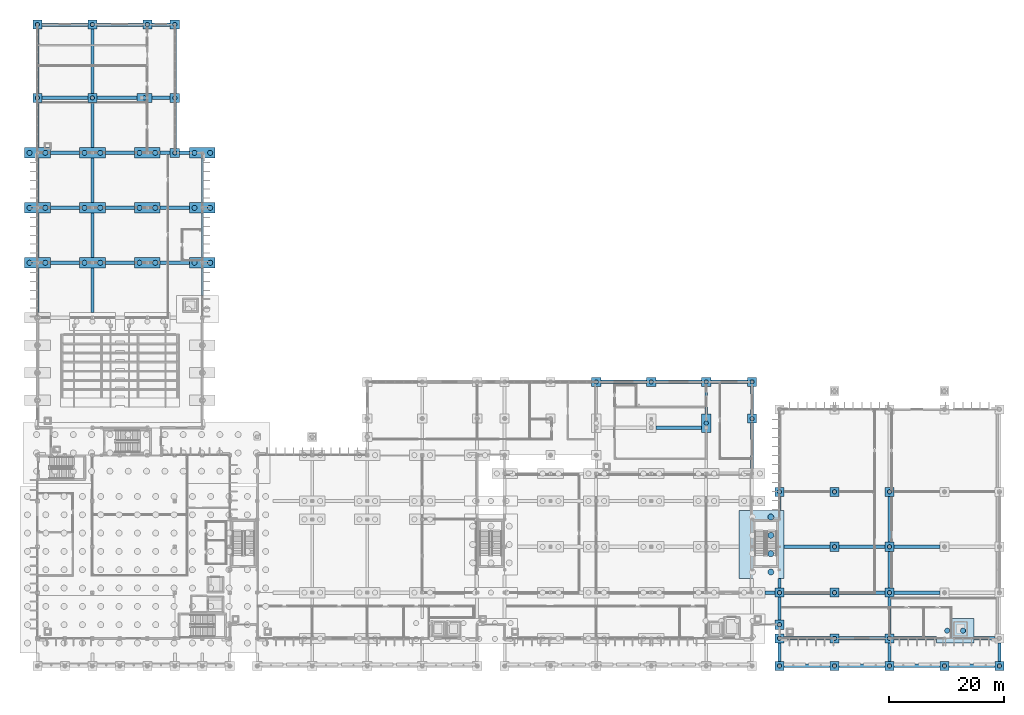
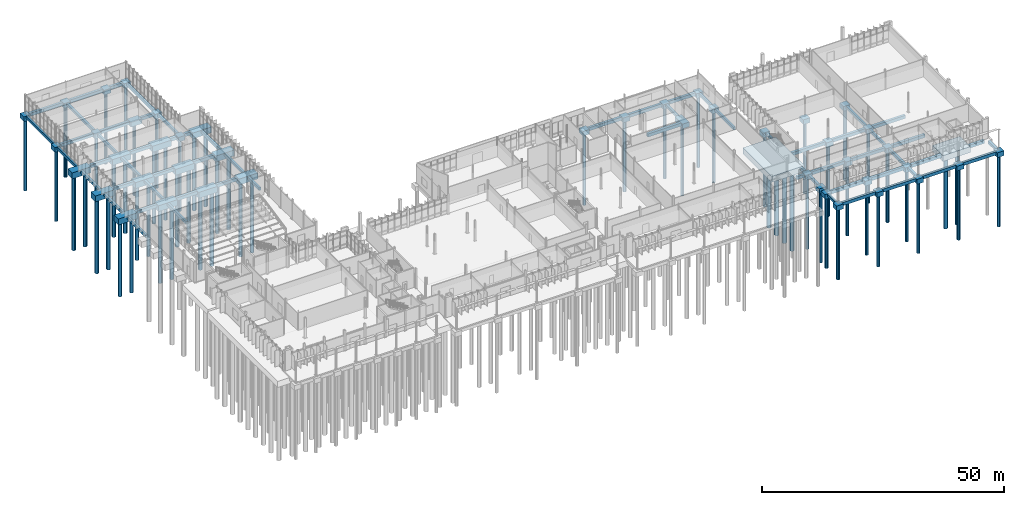
# One storey, part 4 of 111: 108 footings, 62 piles.
"""IFC4 building model written with IfcOpenShell, lengths in metres."""

from ifc_helpers import new_model, si_unit, direction, frame, origin, origin_2d, place, context, subcontext, project, spatial, rectangle, circle, extrude, material, material_profile, profile_set, type_object, element, save


model = new_model("IFC4")

# Units and contexts
model_context = context("Model", 3, precision=1e-05, world=origin(), true_north=direction((0.0, 1.0)))
body_context = subcontext(model_context, "Body", "Model", "MODEL_VIEW")
ifc_project = project(units=[si_unit("LENGTHUNIT", "METRE"), si_unit("AREAUNIT", "SQUARE_METRE"), si_unit("VOLUMEUNIT", "CUBIC_METRE"), si_unit("PLANEANGLEUNIT", "RADIAN"), si_unit("MASSUNIT", "GRAM", prefix="KILO")], contexts=[model_context])

# Site, building, storey
site_placement = place(None, origin())
site = spatial("IfcSite", under=ifc_project, at=site_placement, CompositionType="ELEMENT")
building_placement = place(site_placement, origin())
building = spatial("IfcBuilding", under=site, at=building_placement, Name="Dunescarp Central Library", CompositionType="ELEMENT")
storey_placement = place(building_placement, origin())
storey = spatial("IfcBuildingStorey", under=building, at=storey_placement, Name="L00", CompositionType="ELEMENT", Elevation=0.0)

# Footings
ifc_material_1 = material(Name="Concrete C35/45", Category="concrete")
footing_type_1 = type_object("IfcFootingType", Name="STR-GB-EW-1750", PredefinedType="FOOTING_BEAM", material=ifc_material_1)
for number, where, z_axis, x_axis, name in (
    (1, (127.925048828125, 12.800048828125, -1.10009765625), (0.0, 0.0, 1.0), (1.0, 0.0, 0.0), "Ground tie beam GB-041"),
    (2, (22.324951171875, 89.60009765625, -1.10009765625), (0.0, 0.0, 1.0), (1.0, 0.0, 0.0), "Ground tie beam GB-090"),
    (3, (25.675048828125, 89.60009765625, -1.10009765625), (0.0, 0.0, 1.0), (1.0, 0.0, 0.0), "Ground tie beam GB-091"),
):
    element("IfcFooting", number, at=place(storey_placement, frame(where, z_axis=z_axis, x_axis=x_axis)), inside=storey, type_object=footing_type_1, Name=name, PredefinedType="FOOTING_BEAM", context=body_context, shape_type="SweptSolid", body=[
        extrude(rectangle(XDim=1.75, YDim=0.60009765625, at=origin_2d()), origin(), (0.0, 0.0, 1.0), 0.800048828125),
    ])
footing_type_2 = type_object("IfcFootingType", Name="STR-GB-EW-3200", PredefinedType="FOOTING_BEAM", material=ifc_material_1)
for number, where, z_axis, x_axis, name in (
    (4, (21.60009765625, 99.199951171875, -1.10009765625), (0.0, 0.0, 1.0), (1.0, 0.0, 0.0), "Ground tie beam GB-094"),
    (5, (21.60009765625, 112.0, -1.10009765625), (0.0, 0.0, 1.0), (1.0, 0.0, 0.0), "Ground tie beam GB-097"),
):
    element("IfcFooting", number, at=place(storey_placement, frame(where, z_axis=z_axis, x_axis=x_axis)), inside=storey, type_object=footing_type_2, Name=name, PredefinedType="FOOTING_BEAM", context=body_context, shape_type="SweptSolid", body=[
        extrude(rectangle(XDim=3.199951171875, YDim=0.60009765625, at=origin_2d()), origin(), (0.0, 0.0, 1.0), 0.800048828125),
    ])
footing_type_3 = type_object("IfcFootingType", Name="STR-GB-EW-3680", PredefinedType="FOOTING_BEAM", material=ifc_material_1)
footing_1_placement = place(storey_placement, frame((165.363037109375, 4.800048828125, -1.10009765625), z_axis=(0.0, 0.0, 1.0), x_axis=(1.0, 0.0, 0.0)))
element("IfcFooting", 6, at=footing_1_placement, inside=storey, type_object=footing_type_3, Name="Ground tie beam GB-031", PredefinedType="FOOTING_BEAM", context=body_context, shape_type="SweptSolid", body=[
    extrude(rectangle(XDim=3.675048828125, YDim=0.60009765625, at=origin_2d()), origin(), (0.0, 0.0, 1.0), 0.800048828125),
])
footing_type_4 = type_object("IfcFootingType", Name="STR-GB-EW-5100", PredefinedType="FOOTING_BEAM", material=ifc_material_1)
for number, where, z_axis, x_axis, name in (
    (7, (4.800048828125, 70.39990234375, -1.10009765625), (0.0, 0.0, 1.0), (1.0, 0.0, 0.0), "Ground tie beam GB-082"),
    (8, (14.39990234375, 70.39990234375, -1.10009765625), (0.0, 0.0, 1.0), (1.0, 0.0, 0.0), "Ground tie beam GB-083"),
    (9, (24.0, 70.39990234375, -1.10009765625), (0.0, 0.0, 1.0), (1.0, 0.0, 0.0), "Ground tie beam GB-084"),
    (10, (4.800048828125, 80.0, -1.10009765625), (0.0, 0.0, 1.0), (1.0, 0.0, 0.0), "Ground tie beam GB-085"),
    (11, (14.39990234375, 80.0, -1.10009765625), (0.0, 0.0, 1.0), (1.0, 0.0, 0.0), "Ground tie beam GB-086"),
    (12, (24.0, 80.0, -1.10009765625), (0.0, 0.0, 1.0), (1.0, 0.0, 0.0), "Ground tie beam GB-087"),
    (13, (4.800048828125, 89.60009765625, -1.10009765625), (0.0, 0.0, 1.0), (1.0, 0.0, 0.0), "Ground tie beam GB-088"),
    (14, (14.39990234375, 89.60009765625, -1.10009765625), (0.0, 0.0, 1.0), (1.0, 0.0, 0.0), "Ground tie beam GB-089"),
):
    element("IfcFooting", number, at=place(storey_placement, frame(where, z_axis=z_axis, x_axis=x_axis)), inside=storey, type_object=footing_type_4, Name=name, PredefinedType="FOOTING_BEAM", context=body_context, shape_type="SweptSolid", body=[
        extrude(rectangle(XDim=5.10009765625, YDim=0.60009765625, at=origin_2d()), origin(), (0.0, 0.0, 1.0), 0.800048828125),
    ])
footing_type_5 = type_object("IfcFootingType", Name="STR-GB-EW-6400", PredefinedType="FOOTING_BEAM", material=ifc_material_1)
footing_2_placement = place(storey_placement, frame((120.800048828125, 49.60009765625, -1.10009765625), z_axis=(0.0, 0.0, 1.0), x_axis=(1.0, 0.0, 0.0)))
element("IfcFooting", 15, at=footing_2_placement, inside=storey, type_object=footing_type_5, Name="Ground tie beam GB-078", PredefinedType="FOOTING_BEAM", context=body_context, shape_type="SweptSolid", body=[
    extrude(rectangle(XDim=6.39990234375, YDim=0.60009765625, at=origin_2d()), origin(), (0.0, 0.0, 1.0), 0.800048828125),
])
footing_type_6 = type_object("IfcFootingType", Name="STR-GB-EW-7000", PredefinedType="FOOTING_BEAM", material=ifc_material_1)
footing_3_placement = place(storey_placement, frame((13.89990234375, 99.199951171875, -1.10009765625), z_axis=(0.0, 0.0, 1.0), x_axis=(1.0, 0.0, 0.0)))
element("IfcFooting", 16, at=footing_3_placement, inside=storey, type_object=footing_type_6, Name="Ground tie beam GB-093", PredefinedType="FOOTING_BEAM", context=body_context, shape_type="SweptSolid", body=[
    extrude(rectangle(XDim=7.0, YDim=0.60009765625, at=origin_2d()), origin(), (0.0, 0.0, 1.0), 0.800048828125),
])
footing_type_7 = type_object("IfcFootingType", Name="STR-GB-EW-7380", PredefinedType="FOOTING_BEAM", material=ifc_material_1)
footing_4_placement = place(storey_placement, frame((153.287109375, 4.800048828125, -1.10009765625), z_axis=(0.0, 0.0, 1.0), x_axis=(1.0, 0.0, 0.0)))
element("IfcFooting", 17, at=footing_4_placement, inside=storey, type_object=footing_type_7, Name="Ground tie beam GB-030", PredefinedType="FOOTING_BEAM", context=body_context, shape_type="SweptSolid", body=[
    extrude(rectangle(XDim=7.375, YDim=0.60009765625, at=origin_2d()), origin(), (0.0, 0.0, 1.0), 0.800048828125),
])
footing_type_8 = type_object("IfcFootingType", Name="STR-GB-EW-8000", PredefinedType="FOOTING_BEAM", material=ifc_material_1)
for number, where, z_axis, x_axis, name in (
    (18, (134.39990234375, 0.0, -1.10009765625), (0.0, 0.0, 1.0), (1.0, 0.0, 0.0), "Ground tie beam GB-017"),
    (19, (144.0, 0.0, -1.10009765625), (0.0, 0.0, 1.0), (1.0, 0.0, 0.0), "Ground tie beam GB-018"),
    (20, (153.60009765625, 0.0, -1.10009765625), (0.0, 0.0, 1.0), (1.0, 0.0, 0.0), "Ground tie beam GB-019"),
    (21, (163.199951171875, 0.0, -1.10009765625), (0.0, 0.0, 1.0), (1.0, 0.0, 0.0), "Ground tie beam GB-020"),
    (22, (134.39990234375, 4.800048828125, -1.10009765625), (0.0, 0.0, 1.0), (1.0, 0.0, 0.0), "Ground tie beam GB-028"),
    (23, (144.0, 4.800048828125, -1.10009765625), (0.0, 0.0, 1.0), (1.0, 0.0, 0.0), "Ground tie beam GB-029"),
    (24, (134.39990234375, 12.800048828125, -1.10009765625), (0.0, 0.0, 1.0), (1.0, 0.0, 0.0), "Ground tie beam GB-042"),
    (25, (144.0, 12.800048828125, -1.10009765625), (0.0, 0.0, 1.0), (1.0, 0.0, 0.0), "Ground tie beam GB-043"),
    (26, (153.60009765625, 12.800048828125, -1.10009765625), (0.0, 0.0, 1.0), (1.0, 0.0, 0.0), "Ground tie beam GB-044"),
    (27, (134.39990234375, 20.800048828125, -1.10009765625), (0.0, 0.0, 1.0), (1.0, 0.0, 0.0), "Ground tie beam GB-051"),
    (28, (144.0, 20.800048828125, -1.10009765625), (0.0, 0.0, 1.0), (1.0, 0.0, 0.0), "Ground tie beam GB-052"),
    (29, (153.60009765625, 20.800048828125, -1.10009765625), (0.0, 0.0, 1.0), (1.0, 0.0, 0.0), "Ground tie beam GB-053"),
    (30, (112.0, 41.60009765625, -1.10009765625), (0.0, 0.0, 1.0), (1.0, 0.0, 0.0), "Ground tie beam GB-070"),
    (31, (102.39990234375, 49.60009765625, -1.10009765625), (0.0, 0.0, 1.0), (1.0, 0.0, 0.0), "Ground tie beam GB-076"),
    (32, (112.0, 49.60009765625, -1.10009765625), (0.0, 0.0, 1.0), (1.0, 0.0, 0.0), "Ground tie beam GB-077"),
    (33, (4.800048828125, 99.199951171875, -1.10009765625), (0.0, 0.0, 1.0), (1.0, 0.0, 0.0), "Ground tie beam GB-092"),
    (34, (4.800048828125, 112.0, -1.10009765625), (0.0, 0.0, 1.0), (1.0, 0.0, 0.0), "Ground tie beam GB-095"),
    (35, (14.39990234375, 112.0, -1.10009765625), (0.0, 0.0, 1.0), (1.0, 0.0, 0.0), "Ground tie beam GB-096"),
):
    element("IfcFooting", number, at=place(storey_placement, frame(where, z_axis=z_axis, x_axis=x_axis)), inside=storey, type_object=footing_type_8, Name=name, PredefinedType="FOOTING_BEAM", context=body_context, shape_type="SweptSolid", body=[
        extrude(rectangle(XDim=8.0, YDim=0.60009765625, at=origin_2d()), origin(), (0.0, 0.0, 1.0), 0.800048828125),
    ])
footing_type_9 = type_object("IfcFootingType", Name="STR-GB-NS-11200", PredefinedType="FOOTING_BEAM", material=ifc_material_1)
for number, where, z_axis, x_axis, name in (
    (36, (0.0, 105.60009765625, -1.0), (0.0, 0.0, 1.0), (0.0, 1.0, 0.0), "Ground tie beam GB-107"),
    (37, (9.60009765625, 105.60009765625, -1.0), (0.0, 0.0, 1.0), (0.0, 1.0, 0.0), "Ground tie beam GB-113"),
    (38, (24.0, 105.60009765625, -1.0), (0.0, 0.0, 1.0), (0.0, 1.0, 0.0), "Ground tie beam GB-116"),
):
    element("IfcFooting", number, at=place(storey_placement, frame(where, z_axis=z_axis, x_axis=x_axis)), inside=storey, type_object=footing_type_9, Name=name, PredefinedType="FOOTING_BEAM", context=body_context, shape_type="SweptSolid", body=[
        extrude(rectangle(XDim=11.199951171875, YDim=0.5, at=origin_2d()), origin(), (0.0, 0.0, 1.0), 0.699951171875),
    ])
footing_type_10 = type_object("IfcFootingType", Name="STR-GB-NS-1620", PredefinedType="FOOTING_BEAM", material=ifc_material_1)
footing_5_placement = place(storey_placement, frame((129.60009765625, 14.412109375, -1.0), z_axis=(0.0, 0.0, 1.0), x_axis=(0.0, 1.0, 0.0)))
element("IfcFooting", 39, at=footing_5_placement, inside=storey, type_object=footing_type_10, Name="Ground tie beam GB-184", PredefinedType="FOOTING_BEAM", context=body_context, shape_type="SweptSolid", body=[
    extrude(rectangle(XDim=1.625, YDim=0.5, at=origin_2d()), origin(), (0.0, 0.0, 1.0), 0.699951171875),
])
footing_type_11 = type_object("IfcFootingType", Name="STR-GB-NS-2420", PredefinedType="FOOTING_BEAM", material=ifc_material_1)
footing_6_placement = place(storey_placement, frame((129.60009765625, 28.387939453125, -1.0), z_axis=(0.0, 0.0, 1.0), x_axis=(0.0, 1.0, 0.0)))
element("IfcFooting", 40, at=footing_6_placement, inside=storey, type_object=footing_type_11, Name="Ground tie beam GB-185", PredefinedType="FOOTING_BEAM", context=body_context, shape_type="SweptSolid", body=[
    extrude(rectangle(XDim=2.425048828125, YDim=0.5, at=origin_2d()), origin(), (0.0, 0.0, 1.0), 0.699951171875),
])
footing_type_12 = type_object("IfcFootingType", Name="STR-GB-NS-3200", PredefinedType="FOOTING_BEAM", material=ifc_material_1)
for number, where, z_axis, x_axis, name in (
    (41, (129.60009765625, 2.39990234375, -1.0), (0.0, 0.0, 1.0), (0.0, 1.0, 0.0), "Ground tie beam GB-182"),
    (42, (148.800048828125, 2.39990234375, -1.0), (0.0, 0.0, 1.0), (0.0, 1.0, 0.0), "Ground tie beam GB-187"),
    (43, (168.0, 2.39990234375, -1.0), (0.0, 0.0, 1.0), (0.0, 1.0, 0.0), "Ground tie beam GB-192"),
):
    element("IfcFooting", number, at=place(storey_placement, frame(where, z_axis=z_axis, x_axis=x_axis)), inside=storey, type_object=footing_type_12, Name=name, PredefinedType="FOOTING_BEAM", context=body_context, shape_type="SweptSolid", body=[
        extrude(rectangle(XDim=3.199951171875, YDim=0.5, at=origin_2d()), origin(), (0.0, 0.0, 1.0), 0.699951171875),
    ])
footing_type_13 = type_object("IfcFootingType", Name="STR-GB-NS-4000", PredefinedType="FOOTING_BEAM", material=ifc_material_1)
footing_7_placement = place(storey_placement, frame((129.60009765625, 10.0, -1.0), z_axis=(0.0, 0.0, 1.0), x_axis=(0.0, 1.0, 0.0)))
element("IfcFooting", 44, at=footing_7_placement, inside=storey, type_object=footing_type_13, Name="Ground tie beam GB-183", PredefinedType="FOOTING_BEAM", context=body_context, shape_type="SweptSolid", body=[
    extrude(rectangle(XDim=4.0, YDim=0.5, at=origin_2d()), origin(), (0.0, 0.0, 1.0), 0.699951171875),
])
footing_type_14 = type_object("IfcFootingType", Name="STR-GB-NS-4800", PredefinedType="FOOTING_BEAM", material=ifc_material_1)
for number, where, z_axis, x_axis, name in (
    (45, (28.800048828125, 67.10009765625, -1.0), (0.0, 0.0, 1.0), (0.0, 1.0, 0.0), "Ground tie beam GB-122"),
    (46, (116.800048828125, 46.39990234375, -1.0), (0.0, 0.0, 1.0), (0.0, 1.0, 0.0), "Ground tie beam GB-175"),
    (47, (124.800048828125, 46.39990234375, -1.0), (0.0, 0.0, 1.0), (0.0, 1.0, 0.0), "Ground tie beam GB-181"),
):
    element("IfcFooting", number, at=place(storey_placement, frame(where, z_axis=z_axis, x_axis=x_axis)), inside=storey, type_object=footing_type_14, Name=name, PredefinedType="FOOTING_BEAM", context=body_context, shape_type="SweptSolid", body=[
        extrude(rectangle(XDim=4.800048828125, YDim=0.5, at=origin_2d()), origin(), (0.0, 0.0, 1.0), 0.699951171875),
    ])
footing_type_15 = type_object("IfcFootingType", Name="STR-GB-NS-6400", PredefinedType="FOOTING_BEAM", material=ifc_material_1)
for number, where, z_axis, x_axis, name in (
    (48, (148.800048828125, 8.800048828125, -1.0), (0.0, 0.0, 1.0), (0.0, 1.0, 0.0), "Ground tie beam GB-188"),
    (49, (148.800048828125, 16.800048828125, -1.0), (0.0, 0.0, 1.0), (0.0, 1.0, 0.0), "Ground tie beam GB-189"),
):
    element("IfcFooting", number, at=place(storey_placement, frame(where, z_axis=z_axis, x_axis=x_axis)), inside=storey, type_object=footing_type_15, Name=name, PredefinedType="FOOTING_BEAM", context=body_context, shape_type="SweptSolid", body=[
        extrude(rectangle(XDim=6.39990234375, YDim=0.5, at=origin_2d()), origin(), (0.0, 0.0, 1.0), 0.699951171875),
    ])
footing_type_16 = type_object("IfcFootingType", Name="STR-GB-NS-7800", PredefinedType="FOOTING_BEAM", material=ifc_material_1)
for number, where, z_axis, x_axis, name in (
    (50, (0.0, 65.60009765625, -1.0), (0.0, 0.0, 1.0), (0.0, 1.0, 0.0), "Ground tie beam GB-103"),
    (51, (0.0, 75.199951171875, -1.0), (0.0, 0.0, 1.0), (0.0, 1.0, 0.0), "Ground tie beam GB-104"),
    (52, (0.0, 84.800048828125, -1.0), (0.0, 0.0, 1.0), (0.0, 1.0, 0.0), "Ground tie beam GB-105"),
    (53, (9.60009765625, 65.60009765625, -1.0), (0.0, 0.0, 1.0), (0.0, 1.0, 0.0), "Ground tie beam GB-109"),
    (54, (9.60009765625, 75.199951171875, -1.0), (0.0, 0.0, 1.0), (0.0, 1.0, 0.0), "Ground tie beam GB-110"),
    (55, (9.60009765625, 84.800048828125, -1.0), (0.0, 0.0, 1.0), (0.0, 1.0, 0.0), "Ground tie beam GB-111"),
    (56, (28.800048828125, 75.199951171875, -1.0), (0.0, 0.0, 1.0), (0.0, 1.0, 0.0), "Ground tie beam GB-123"),
    (57, (28.800048828125, 84.800048828125, -1.0), (0.0, 0.0, 1.0), (0.0, 1.0, 0.0), "Ground tie beam GB-124"),
):
    element("IfcFooting", number, at=place(storey_placement, frame(where, z_axis=z_axis, x_axis=x_axis)), inside=storey, type_object=footing_type_16, Name=name, PredefinedType="FOOTING_BEAM", context=body_context, shape_type="SweptSolid", body=[
        extrude(rectangle(XDim=7.800048828125, YDim=0.5, at=origin_2d()), origin(), (0.0, 0.0, 1.0), 0.699951171875),
    ])
footing_type_17 = type_object("IfcFootingType", Name="STR-GB-NS-7900", PredefinedType="FOOTING_BEAM", material=ifc_material_1)
for number, where, z_axis, x_axis, name in (
    (58, (0.0, 94.449951171875, -1.0), (0.0, 0.0, 1.0), (0.0, 1.0, 0.0), "Ground tie beam GB-106"),
    (59, (9.60009765625, 94.449951171875, -1.0), (0.0, 0.0, 1.0), (0.0, 1.0, 0.0), "Ground tie beam GB-112"),
    (60, (124.800048828125, 38.449951171875, -1.0), (0.0, 0.0, 1.0), (0.0, 1.0, 0.0), "Ground tie beam GB-180"),
):
    element("IfcFooting", number, at=place(storey_placement, frame(where, z_axis=z_axis, x_axis=x_axis)), inside=storey, type_object=footing_type_17, Name=name, PredefinedType="FOOTING_BEAM", context=body_context, shape_type="SweptSolid", body=[
        extrude(rectangle(XDim=7.89990234375, YDim=0.5, at=origin_2d()), origin(), (0.0, 0.0, 1.0), 0.699951171875),
    ])
footing_type_18 = type_object("IfcFootingType", Name="STR-GB-NS-8000", PredefinedType="FOOTING_BEAM", material=ifc_material_1)
for number, where, z_axis, x_axis, name in (
    (61, (24.0, 94.39990234375, -1.0), (0.0, 0.0, 1.0), (0.0, 1.0, 0.0), "Ground tie beam GB-115"),
    (62, (148.800048828125, 25.60009765625, -1.0), (0.0, 0.0, 1.0), (0.0, 1.0, 0.0), "Ground tie beam GB-190"),
):
    element("IfcFooting", number, at=place(storey_placement, frame(where, z_axis=z_axis, x_axis=x_axis)), inside=storey, type_object=footing_type_18, Name=name, PredefinedType="FOOTING_BEAM", context=body_context, shape_type="SweptSolid", body=[
        extrude(rectangle(XDim=8.0, YDim=0.5, at=origin_2d()), origin(), (0.0, 0.0, 1.0), 0.699951171875),
    ])
ifc_material_2 = material(Name="Concrete C40/50", Category="concrete")
footing_type_19 = type_object("IfcFootingType", Name="STR-PC-1600X1600X1200", PredefinedType="PILE_CAP", material=ifc_material_2)
for number, where, z_axis, x_axis, name in (
    (63, (129.60009765625, 0.0, -1.5), (0.0, 0.0, 1.0), (1.0, 0.0, 0.0), "Pile cap PC-020"),
    (64, (139.199951171875, 0.0, -1.5), (0.0, 0.0, 1.0), (1.0, 0.0, 0.0), "Pile cap PC-021"),
    (65, (148.800048828125, 0.0, -1.5), (0.0, 0.0, 1.0), (1.0, 0.0, 0.0), "Pile cap PC-022"),
    (66, (158.39990234375, 0.0, -1.5), (0.0, 0.0, 1.0), (1.0, 0.0, 0.0), "Pile cap PC-023"),
    (67, (168.0, 0.0, -1.5), (0.0, 0.0, 1.0), (1.0, 0.0, 0.0), "Pile cap PC-024"),
    (68, (129.60009765625, 4.800048828125, -1.5), (0.0, 0.0, 1.0), (1.0, 0.0, 0.0), "Pile cap PC-033"),
    (69, (139.199951171875, 4.800048828125, -1.5), (0.0, 0.0, 1.0), (1.0, 0.0, 0.0), "Pile cap PC-034"),
    (70, (148.800048828125, 4.800048828125, -1.5), (0.0, 0.0, 1.0), (1.0, 0.0, 0.0), "Pile cap PC-035"),
    (71, (129.60009765625, 7.199951171875, -1.5), (0.0, 0.0, 1.0), (1.0, 0.0, 0.0), "Pile cap PC-038"),
    (72, (129.60009765625, 12.800048828125, -1.5), (0.0, 0.0, 1.0), (1.0, 0.0, 0.0), "Pile cap PC-048"),
    (73, (139.199951171875, 12.800048828125, -1.5), (0.0, 0.0, 1.0), (1.0, 0.0, 0.0), "Pile cap PC-049"),
    (74, (148.800048828125, 12.800048828125, -1.5), (0.0, 0.0, 1.0), (1.0, 0.0, 0.0), "Pile cap PC-050"),
    (75, (139.199951171875, 20.800048828125, -1.5), (0.0, 0.0, 1.0), (1.0, 0.0, 0.0), "Pile cap PC-059"),
    (76, (148.800048828125, 20.800048828125, -1.5), (0.0, 0.0, 1.0), (1.0, 0.0, 0.0), "Pile cap PC-060"),
    (77, (129.60009765625, 30.39990234375, -1.5), (0.0, 0.0, 1.0), (1.0, 0.0, 0.0), "Pile cap PC-075"),
    (78, (139.199951171875, 30.39990234375, -1.5), (0.0, 0.0, 1.0), (1.0, 0.0, 0.0), "Pile cap PC-076"),
    (79, (148.800048828125, 30.39990234375, -1.5), (0.0, 0.0, 1.0), (1.0, 0.0, 0.0), "Pile cap PC-077"),
    (80, (124.800048828125, 43.199951171875, -1.5), (0.0, 0.0, 1.0), (1.0, 0.0, 0.0), "Pile cap PC-104"),
    (81, (97.60009765625, 49.60009765625, -1.5), (0.0, 0.0, 1.0), (1.0, 0.0, 0.0), "Pile cap PC-119"),
    (82, (107.199951171875, 49.60009765625, -1.5), (0.0, 0.0, 1.0), (1.0, 0.0, 0.0), "Pile cap PC-120"),
    (83, (116.800048828125, 49.60009765625, -1.5), (0.0, 0.0, 1.0), (1.0, 0.0, 0.0), "Pile cap PC-121"),
    (84, (124.800048828125, 49.60009765625, -1.5), (0.0, 0.0, 1.0), (1.0, 0.0, 0.0), "Pile cap PC-122"),
    (85, (24.0, 89.60009765625, -1.5), (0.0, 0.0, 1.0), (1.0, 0.0, 0.0), "Pile cap PC-143"),
    (86, (0.0, 99.199951171875, -1.5), (0.0, 0.0, 1.0), (1.0, 0.0, 0.0), "Pile cap PC-144"),
    (87, (9.60009765625, 99.199951171875, -1.5), (0.0, 0.0, 1.0), (1.0, 0.0, 0.0), "Pile cap PC-145"),
    (88, (24.0, 99.199951171875, -1.5), (0.0, 0.0, 1.0), (1.0, 0.0, 0.0), "Pile cap PC-147"),
    (89, (0.0, 112.0, -1.5), (0.0, 0.0, 1.0), (1.0, 0.0, 0.0), "Pile cap PC-148"),
    (90, (9.60009765625, 112.0, -1.5), (0.0, 0.0, 1.0), (1.0, 0.0, 0.0), "Pile cap PC-149"),
    (91, (19.199951171875, 112.0, -1.5), (0.0, 0.0, 1.0), (1.0, 0.0, 0.0), "Pile cap PC-150"),
    (92, (24.0, 112.0, -1.5), (0.0, 0.0, 1.0), (1.0, 0.0, 0.0), "Pile cap PC-151"),
):
    element("IfcFooting", number, at=place(storey_placement, frame(where, z_axis=z_axis, x_axis=x_axis)), inside=storey, type_object=footing_type_19, Name=name, PredefinedType="PILE_CAP", context=body_context, shape_type="SweptSolid", body=[
        extrude(rectangle(XDim=1.60009765625, YDim=1.60009765625, at=origin_2d()), origin(), (0.0, 0.0, 1.0), 1.199951171875),
    ])
footing_type_20 = type_object("IfcFootingType", Name="STR-PC-1600X3200X1200", PredefinedType="PILE_CAP", material=ifc_material_2)
footing_8_placement = place(storey_placement, frame((116.800048828125, 42.39990234375, -1.5), z_axis=(0.0, 0.0, 1.0), x_axis=(1.0, 0.0, 0.0)))
element("IfcFooting", 93, at=footing_8_placement, inside=storey, type_object=footing_type_20, Name="Pile cap PC-098", PredefinedType="PILE_CAP", context=body_context, shape_type="SweptSolid", body=[
    extrude(rectangle(XDim=1.60009765625, YDim=3.199951171875, at=origin_2d()), origin(), (0.0, 0.0, 1.0), 1.199951171875),
])
footing_type_21 = type_object("IfcFootingType", Name="STR-PC-2600X1600X1200", PredefinedType="PILE_CAP", material=ifc_material_2)
footing_9_placement = place(storey_placement, frame((18.699951171875, 99.199951171875, -1.5), z_axis=(0.0, 0.0, 1.0), x_axis=(1.0, 0.0, 0.0)))
element("IfcFooting", 94, at=footing_9_placement, inside=storey, type_object=footing_type_21, Name="Pile cap PC-146", PredefinedType="PILE_CAP", context=body_context, shape_type="SweptSolid", body=[
    extrude(rectangle(XDim=2.60009765625, YDim=1.60009765625, at=origin_2d()), origin(), (0.0, 0.0, 1.0), 1.199951171875),
])
footing_type_22 = type_object("IfcFootingType", Name="STR-PC-4500X1800X1500", PredefinedType="PILE_CAP", material=ifc_material_2)
for number, where, z_axis, x_axis, name in (
    (95, (0.0, 70.39990234375, -1.800048828125), (0.0, 0.0, 1.0), (1.0, 0.0, 0.0), "Pile cap PC-131"),
    (96, (9.60009765625, 70.39990234375, -1.800048828125), (0.0, 0.0, 1.0), (1.0, 0.0, 0.0), "Pile cap PC-132"),
    (97, (19.199951171875, 70.39990234375, -1.800048828125), (0.0, 0.0, 1.0), (1.0, 0.0, 0.0), "Pile cap PC-133"),
    (98, (28.800048828125, 70.39990234375, -1.800048828125), (0.0, 0.0, 1.0), (1.0, 0.0, 0.0), "Pile cap PC-134"),
    (99, (0.0, 80.0, -1.800048828125), (0.0, 0.0, 1.0), (1.0, 0.0, 0.0), "Pile cap PC-135"),
    (100, (9.60009765625, 80.0, -1.800048828125), (0.0, 0.0, 1.0), (1.0, 0.0, 0.0), "Pile cap PC-136"),
    (101, (19.199951171875, 80.0, -1.800048828125), (0.0, 0.0, 1.0), (1.0, 0.0, 0.0), "Pile cap PC-137"),
    (102, (28.800048828125, 80.0, -1.800048828125), (0.0, 0.0, 1.0), (1.0, 0.0, 0.0), "Pile cap PC-138"),
    (103, (0.0, 89.60009765625, -1.800048828125), (0.0, 0.0, 1.0), (1.0, 0.0, 0.0), "Pile cap PC-139"),
    (104, (9.60009765625, 89.60009765625, -1.800048828125), (0.0, 0.0, 1.0), (1.0, 0.0, 0.0), "Pile cap PC-140"),
    (105, (19.199951171875, 89.60009765625, -1.800048828125), (0.0, 0.0, 1.0), (1.0, 0.0, 0.0), "Pile cap PC-141"),
    (106, (28.800048828125, 89.60009765625, -1.800048828125), (0.0, 0.0, 1.0), (1.0, 0.0, 0.0), "Pile cap PC-142"),
):
    element("IfcFooting", number, at=place(storey_placement, frame(where, z_axis=z_axis, x_axis=x_axis)), inside=storey, type_object=footing_type_22, Name=name, PredefinedType="PILE_CAP", context=body_context, shape_type="SweptSolid", body=[
        extrude(rectangle(XDim=4.5, YDim=1.800048828125, at=origin_2d()), origin(), (0.0, 0.0, 1.0), 1.5),
    ])
footing_type_23 = type_object("IfcFootingType", Name="STR-PC-6550X4300X1500", PredefinedType="PILE_CAP", material=ifc_material_2)
footing_10_placement = place(storey_placement, frame((160.25, 6.14990234375, -1.800048828125), z_axis=(0.0, 0.0, 1.0), x_axis=(1.0, 0.0, 0.0)))
element("IfcFooting", 107, at=footing_10_placement, inside=storey, type_object=footing_type_23, Name="Pile cap PC-036", PredefinedType="PILE_CAP", context=body_context, shape_type="SweptSolid", body=[
    extrude(rectangle(XDim=6.550048828125, YDim=4.300048828125, at=origin_2d()), origin(), (0.0, 0.0, 1.0), 1.5),
])
footing_type_24 = type_object("IfcFootingType", Name="STR-PC-7850X11950X1500", PredefinedType="PILE_CAP", material=ifc_material_2)
footing_11_placement = place(storey_placement, frame((126.47509765625, 21.199951171875, -1.800048828125), z_axis=(0.0, 0.0, 1.0), x_axis=(1.0, 0.0, 0.0)))
element("IfcFooting", 108, at=footing_11_placement, inside=storey, type_object=footing_type_24, Name="Pile cap PC-054", PredefinedType="PILE_CAP", context=body_context, shape_type="SweptSolid", body=[
    extrude(rectangle(XDim=7.85009765625, YDim=11.949951171875, at=origin_2d()), origin(), (0.0, 0.0, 1.0), 1.5),
])

# Piles
ifc_material_profile_1 = material_profile(ifc_material_2, circle(Radius=0.52490234375, at=origin_2d()), Name="PILE D1050")
ifc_profile_set_1 = profile_set([ifc_material_profile_1], Name="Concrete C40/50")
pile_type_1 = type_object("IfcPileType", Name="STR-PILE-D1050", PredefinedType="BORED", material=ifc_profile_set_1)
for number, where, z_axis, x_axis, name in (
    (109, (128.074951171875, 16.39990234375, -1.699951171875), (0.0, 0.0, -1.0), (1.0, 0.0, 0.0), "Bored pile BP-054-05"),
    (110, (128.074951171875, 19.60009765625, -1.699951171875), (0.0, 0.0, -1.0), (1.0, 0.0, 0.0), "Bored pile BP-054-06"),
    (111, (128.074951171875, 22.800048828125, -1.699951171875), (0.0, 0.0, -1.0), (1.0, 0.0, 0.0), "Bored pile BP-054-07"),
    (112, (128.074951171875, 26.0, -1.699951171875), (0.0, 0.0, -1.0), (1.0, 0.0, 0.0), "Bored pile BP-054-08"),
):
    element("IfcPile", number, at=place(storey_placement, frame(where, z_axis=z_axis, x_axis=x_axis)), inside=storey, type_object=pile_type_1, Name=name, PredefinedType="BORED", context=body_context, shape_type="SweptSolid", body=[
        extrude(circle(Radius=0.52490234375, at=origin_2d()), origin(), (0.0, 0.0, 1.0), 19.800048828125),
    ])
ifc_material_profile_2 = material_profile(ifc_material_2, circle(Radius=0.375, at=origin_2d()), Name="PILE D750")
ifc_profile_set_2 = profile_set([ifc_material_profile_2], Name="Concrete C40/50")
pile_type_2 = type_object("IfcPileType", Name="STR-PILE-D750", PredefinedType="BORED", material=ifc_profile_set_2)
for number, where, z_axis, x_axis, name in (
    (113, (129.60009765625, 0.0, -1.39990234375), (0.0, 0.0, -1.0), (1.0, 0.0, 0.0), "Bored pile BP-020-01"),
    (114, (139.199951171875, 0.0, -1.39990234375), (0.0, 0.0, -1.0), (1.0, 0.0, 0.0), "Bored pile BP-021-01"),
    (115, (148.800048828125, 0.0, -1.39990234375), (0.0, 0.0, -1.0), (1.0, 0.0, 0.0), "Bored pile BP-022-01"),
    (116, (158.39990234375, 0.0, -1.39990234375), (0.0, 0.0, -1.0), (1.0, 0.0, 0.0), "Bored pile BP-023-01"),
    (117, (168.0, 0.0, -1.39990234375), (0.0, 0.0, -1.0), (1.0, 0.0, 0.0), "Bored pile BP-024-01"),
    (118, (129.60009765625, 4.800048828125, -1.39990234375), (0.0, 0.0, -1.0), (1.0, 0.0, 0.0), "Bored pile BP-033-01"),
    (119, (139.199951171875, 4.800048828125, -1.39990234375), (0.0, 0.0, -1.0), (1.0, 0.0, 0.0), "Bored pile BP-034-01"),
    (120, (148.800048828125, 4.800048828125, -1.39990234375), (0.0, 0.0, -1.0), (1.0, 0.0, 0.0), "Bored pile BP-035-01"),
    (121, (129.60009765625, 7.199951171875, -1.39990234375), (0.0, 0.0, -1.0), (1.0, 0.0, 0.0), "Bored pile BP-038-01"),
    (122, (129.60009765625, 12.800048828125, -1.39990234375), (0.0, 0.0, -1.0), (1.0, 0.0, 0.0), "Bored pile BP-048-01"),
    (123, (139.199951171875, 12.800048828125, -1.39990234375), (0.0, 0.0, -1.0), (1.0, 0.0, 0.0), "Bored pile BP-049-01"),
    (124, (148.800048828125, 12.800048828125, -1.39990234375), (0.0, 0.0, -1.0), (1.0, 0.0, 0.0), "Bored pile BP-050-01"),
    (125, (139.199951171875, 20.800048828125, -1.39990234375), (0.0, 0.0, -1.0), (1.0, 0.0, 0.0), "Bored pile BP-059-01"),
    (126, (148.800048828125, 20.800048828125, -1.39990234375), (0.0, 0.0, -1.0), (1.0, 0.0, 0.0), "Bored pile BP-060-01"),
    (127, (129.60009765625, 30.39990234375, -1.39990234375), (0.0, 0.0, -1.0), (1.0, 0.0, 0.0), "Bored pile BP-075-01"),
    (128, (139.199951171875, 30.39990234375, -1.39990234375), (0.0, 0.0, -1.0), (1.0, 0.0, 0.0), "Bored pile BP-076-01"),
    (129, (148.800048828125, 30.39990234375, -1.39990234375), (0.0, 0.0, -1.0), (1.0, 0.0, 0.0), "Bored pile BP-077-01"),
    (130, (116.800048828125, 42.39990234375, -1.39990234375), (0.0, 0.0, -1.0), (1.0, 0.0, 0.0), "Bored pile BP-098-01"),
    (131, (124.800048828125, 43.199951171875, -1.39990234375), (0.0, 0.0, -1.0), (1.0, 0.0, 0.0), "Bored pile BP-104-01"),
    (132, (97.60009765625, 49.60009765625, -1.39990234375), (0.0, 0.0, -1.0), (1.0, 0.0, 0.0), "Bored pile BP-119-01"),
    (133, (107.199951171875, 49.60009765625, -1.39990234375), (0.0, 0.0, -1.0), (1.0, 0.0, 0.0), "Bored pile BP-120-01"),
    (134, (116.800048828125, 49.60009765625, -1.39990234375), (0.0, 0.0, -1.0), (1.0, 0.0, 0.0), "Bored pile BP-121-01"),
    (135, (124.800048828125, 49.60009765625, -1.39990234375), (0.0, 0.0, -1.0), (1.0, 0.0, 0.0), "Bored pile BP-122-01"),
    (136, (24.0, 89.60009765625, -1.39990234375), (0.0, 0.0, -1.0), (1.0, 0.0, 0.0), "Bored pile BP-143-01"),
    (137, (0.0, 99.199951171875, -1.39990234375), (0.0, 0.0, -1.0), (1.0, 0.0, 0.0), "Bored pile BP-144-01"),
    (138, (9.60009765625, 99.199951171875, -1.39990234375), (0.0, 0.0, -1.0), (1.0, 0.0, 0.0), "Bored pile BP-145-01"),
    (139, (18.699951171875, 99.199951171875, -1.39990234375), (0.0, 0.0, -1.0), (1.0, 0.0, 0.0), "Bored pile BP-146-01"),
    (140, (24.0, 99.199951171875, -1.39990234375), (0.0, 0.0, -1.0), (1.0, 0.0, 0.0), "Bored pile BP-147-01"),
    (141, (0.0, 112.0, -1.39990234375), (0.0, 0.0, -1.0), (1.0, 0.0, 0.0), "Bored pile BP-148-01"),
    (142, (9.60009765625, 112.0, -1.39990234375), (0.0, 0.0, -1.0), (1.0, 0.0, 0.0), "Bored pile BP-149-01"),
    (143, (19.199951171875, 112.0, -1.39990234375), (0.0, 0.0, -1.0), (1.0, 0.0, 0.0), "Bored pile BP-150-01"),
    (144, (24.0, 112.0, -1.39990234375), (0.0, 0.0, -1.0), (1.0, 0.0, 0.0), "Bored pile BP-151-01"),
):
    element("IfcPile", number, at=place(storey_placement, frame(where, z_axis=z_axis, x_axis=x_axis)), inside=storey, type_object=pile_type_2, Name=name, PredefinedType="BORED", context=body_context, shape_type="SweptSolid", body=[
        extrude(circle(Radius=0.375, at=origin_2d()), origin(), (0.0, 0.0, 1.0), 18.10009765625),
    ])
ifc_material_profile_3 = material_profile(ifc_material_2, circle(Radius=0.449951171875, at=origin_2d()), Name="PILE D900")
ifc_profile_set_3 = profile_set([ifc_material_profile_3], Name="Concrete C40/50")
pile_type_3 = type_object("IfcPileType", Name="STR-PILE-D900", PredefinedType="BORED", material=ifc_profile_set_3)
for number, where, z_axis, x_axis, name in (
    (145, (158.875, 6.14990234375, -1.699951171875), (0.0, 0.0, -1.0), (1.0, 0.0, 0.0), "Bored pile BP-036-01"),
    (146, (161.625, 6.14990234375, -1.699951171875), (0.0, 0.0, -1.0), (1.0, 0.0, 0.0), "Bored pile BP-036-02"),
    (147, (-1.375, 70.39990234375, -1.699951171875), (0.0, 0.0, -1.0), (1.0, 0.0, 0.0), "Bored pile BP-131-01"),
    (148, (1.375, 70.39990234375, -1.699951171875), (0.0, 0.0, -1.0), (1.0, 0.0, 0.0), "Bored pile BP-131-02"),
    (149, (8.22509765625, 70.39990234375, -1.699951171875), (0.0, 0.0, -1.0), (1.0, 0.0, 0.0), "Bored pile BP-132-01"),
    (150, (10.97509765625, 70.39990234375, -1.699951171875), (0.0, 0.0, -1.0), (1.0, 0.0, 0.0), "Bored pile BP-132-02"),
    (151, (17.824951171875, 70.39990234375, -1.699951171875), (0.0, 0.0, -1.0), (1.0, 0.0, 0.0), "Bored pile BP-133-01"),
    (152, (20.574951171875, 70.39990234375, -1.699951171875), (0.0, 0.0, -1.0), (1.0, 0.0, 0.0), "Bored pile BP-133-02"),
    (153, (27.425048828125, 70.39990234375, -1.699951171875), (0.0, 0.0, -1.0), (1.0, 0.0, 0.0), "Bored pile BP-134-01"),
    (154, (30.175048828125, 70.39990234375, -1.699951171875), (0.0, 0.0, -1.0), (1.0, 0.0, 0.0), "Bored pile BP-134-02"),
    (155, (-1.375, 80.0, -1.699951171875), (0.0, 0.0, -1.0), (1.0, 0.0, 0.0), "Bored pile BP-135-01"),
    (156, (1.375, 80.0, -1.699951171875), (0.0, 0.0, -1.0), (1.0, 0.0, 0.0), "Bored pile BP-135-02"),
    (157, (8.22509765625, 80.0, -1.699951171875), (0.0, 0.0, -1.0), (1.0, 0.0, 0.0), "Bored pile BP-136-01"),
    (158, (10.97509765625, 80.0, -1.699951171875), (0.0, 0.0, -1.0), (1.0, 0.0, 0.0), "Bored pile BP-136-02"),
    (159, (17.824951171875, 80.0, -1.699951171875), (0.0, 0.0, -1.0), (1.0, 0.0, 0.0), "Bored pile BP-137-01"),
    (160, (20.574951171875, 80.0, -1.699951171875), (0.0, 0.0, -1.0), (1.0, 0.0, 0.0), "Bored pile BP-137-02"),
    (161, (27.425048828125, 80.0, -1.699951171875), (0.0, 0.0, -1.0), (1.0, 0.0, 0.0), "Bored pile BP-138-01"),
    (162, (30.175048828125, 80.0, -1.699951171875), (0.0, 0.0, -1.0), (1.0, 0.0, 0.0), "Bored pile BP-138-02"),
    (163, (-1.375, 89.60009765625, -1.699951171875), (0.0, 0.0, -1.0), (1.0, 0.0, 0.0), "Bored pile BP-139-01"),
    (164, (1.375, 89.60009765625, -1.699951171875), (0.0, 0.0, -1.0), (1.0, 0.0, 0.0), "Bored pile BP-139-02"),
    (165, (8.22509765625, 89.60009765625, -1.699951171875), (0.0, 0.0, -1.0), (1.0, 0.0, 0.0), "Bored pile BP-140-01"),
    (166, (10.97509765625, 89.60009765625, -1.699951171875), (0.0, 0.0, -1.0), (1.0, 0.0, 0.0), "Bored pile BP-140-02"),
    (167, (17.824951171875, 89.60009765625, -1.699951171875), (0.0, 0.0, -1.0), (1.0, 0.0, 0.0), "Bored pile BP-141-01"),
    (168, (20.574951171875, 89.60009765625, -1.699951171875), (0.0, 0.0, -1.0), (1.0, 0.0, 0.0), "Bored pile BP-141-02"),
    (169, (27.425048828125, 89.60009765625, -1.699951171875), (0.0, 0.0, -1.0), (1.0, 0.0, 0.0), "Bored pile BP-142-01"),
    (170, (30.175048828125, 89.60009765625, -1.699951171875), (0.0, 0.0, -1.0), (1.0, 0.0, 0.0), "Bored pile BP-142-02"),
):
    element("IfcPile", number, at=place(storey_placement, frame(where, z_axis=z_axis, x_axis=x_axis)), inside=storey, type_object=pile_type_3, Name=name, PredefinedType="BORED", context=body_context, shape_type="SweptSolid", body=[
        extrude(circle(Radius=0.449951171875, at=origin_2d()), origin(), (0.0, 0.0, 1.0), 18.800048828125),
    ])

save(model, "model.ifc")
